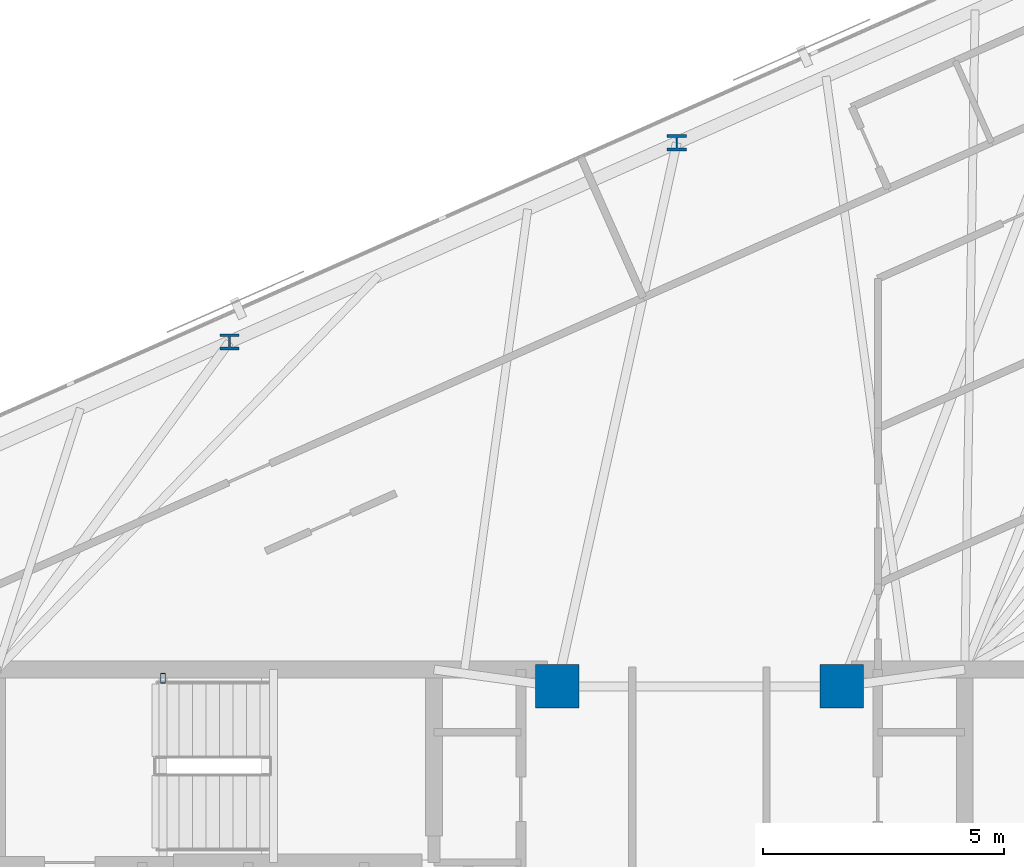
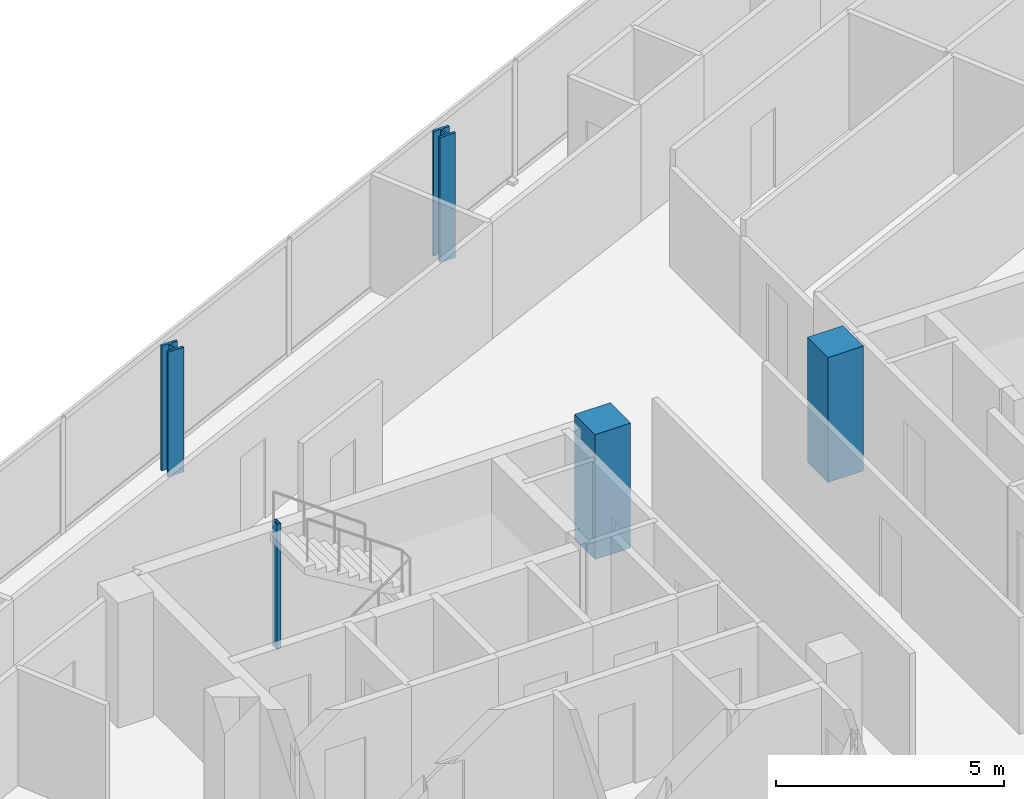
# One storey, part 2 of 19: 5 columns.
"""IFC4 building model written with IfcOpenShell, lengths in metres."""

import ifcopenshell
import ifcopenshell.guid

model = None  # the IFC model being written
_history = None  # IfcOwnerHistory: only IFC2X3 demands one
_inside = {}  # id of a spatial element -> (the spatial element, [elements in it])
_under = {}  # id of a project, library or spatial element -> (it, [spatial elements below it])
_declared = {}  # id of a project -> (the project, [libraries it declares])
_typed = {}  # id of a type object -> (the type object, [elements of that type])
_made_of = {}  # id of a material, layer set ... -> (it, [elements and type objects made of it])


def new_model(schema):
    """Start an empty IFC model of exactly this schema.

    Asked for "IFC4X3", IfcOpenShell would pick the latest addendum, in which some entities
    have other attributes; the version numbers below select the first issue.
    IFC2X3 requires an IfcOwnerHistory on every rooted entity: one is made here for all.
    """
    global model, _history
    if schema == "IFC4X3":
        model = ifcopenshell.file(schema_version=(4, 3, 0, 0))
    else:
        model = ifcopenshell.file(schema=schema)
    _inside.clear()
    _under.clear()
    _declared.clear()
    _typed.clear()
    _made_of.clear()
    _history = None
    if model.schema == "IFC2X3":
        org = make("IfcOrganization", Name="unknown")
        user = make(
            "IfcPersonAndOrganization",
            ThePerson=make("IfcPerson", FamilyName="unknown"),
            TheOrganization=org,
        )
        app = make(
            "IfcApplication",
            ApplicationDeveloper=org,
            Version="unknown",
            ApplicationFullName="unknown",
            ApplicationIdentifier="unknown",
        )
        _history = make(
            "IfcOwnerHistory",
            OwningUser=user,
            OwningApplication=app,
            ChangeAction="ADDED",
            CreationDate=0,
        )
    return model


def make(cls, **values):
    """One entity of the class cls with the attributes given. An attribute that is None is left unset."""
    return model.create_entity(
        cls, **{name: value for name, value in values.items() if value is not None}
    )


def rooted(cls, **values):
    """An entity with a GlobalId (a new one), such as an element, a storey or a relation."""
    return make(cls, GlobalId=ifcopenshell.guid.new(), OwnerHistory=_history, **values)


def si_unit(unit_type, name, prefix=None):
    """IfcSIUnit, for example si_unit("LENGTHUNIT", "METRE", prefix="MILLI")."""
    return make("IfcSIUnit", UnitType=unit_type, Prefix=prefix, Name=name)


def assignment(units):
    """IfcUnitAssignment: the units of a project."""
    return None if units is None else make("IfcUnitAssignment", Units=units)


def point(xyz):
    """IfcCartesianPoint."""
    return None if xyz is None else make("IfcCartesianPoint", Coordinates=xyz)


def direction(xyz):
    """IfcDirection."""
    return None if xyz is None else make("IfcDirection", DirectionRatios=xyz)


def frame(location, z_axis=None, x_axis=None):
    """IfcAxis2Placement3D, a coordinate frame: its origin and axes. An axis left out is left unset."""
    return make(
        "IfcAxis2Placement3D",
        Location=point(location),
        Axis=direction(z_axis),
        RefDirection=direction(x_axis),
    )


def frame_2d(location, x_axis=None):
    """IfcAxis2Placement2D, a coordinate frame in the plane: its origin and x axis."""
    return make(
        "IfcAxis2Placement2D", Location=point(location), RefDirection=direction(x_axis)
    )


def origin():
    """The frame at (0, 0, 0) with its axes left unset."""
    return frame((0.0, 0.0, 0.0))


def origin_2d():
    """The frame at (0, 0) in the plane with its x axis left unset."""
    return frame_2d((0.0, 0.0))


def place(relative_to, where):
    """IfcLocalPlacement: puts the frame where relative to a parent placement (None: the world)."""
    return make(
        "IfcLocalPlacement", PlacementRelTo=relative_to, RelativePlacement=where
    )


def context(
    kind, dimensions, precision=None, world=None, true_north=None, identifier=None
):
    """IfcGeometricRepresentationContext, for example the 3D "Model" context."""
    return make(
        "IfcGeometricRepresentationContext",
        ContextIdentifier=identifier,
        ContextType=kind,
        CoordinateSpaceDimension=dimensions,
        Precision=precision,
        WorldCoordinateSystem=world,
        TrueNorth=true_north,
    )


def subcontext(parent, identifier, kind, view, scale=None):
    """IfcGeometricRepresentationSubContext, for example "Body" below "Model"."""
    return make(
        "IfcGeometricRepresentationSubContext",
        ContextIdentifier=identifier,
        ContextType=kind,
        ParentContext=parent,
        TargetScale=scale,
        TargetView=view,
    )


def project(units=None, contexts=None):
    """IfcProject with its units and contexts."""
    return rooted(
        "IfcProject",
        Name="project",
        RepresentationContexts=contexts,
        UnitsInContext=assignment(units),
    )


def spatial(cls, under=None, at=None, **own):
    """A site, building, storey or space (cls), placed at a placement, below another one or the project."""
    s = rooted(cls, ObjectPlacement=at, **own)
    if under is not None:
        _under.setdefault(under.id(), (under, []))[1].append(s)
    return s


def profile(cls, at=None, kind="AREA", **sizes):
    """A parametric profile (cls). Its sizes go by their IFC names, for example OverallWidth=200.0."""
    return make(cls, ProfileType=kind, Position=at, **sizes)


def rectangle(**sizes):
    """IfcRectangleProfileDef."""
    return profile("IfcRectangleProfileDef", **sizes)


def hollow_rectangle(**sizes):
    """IfcRectangleHollowProfileDef."""
    return profile("IfcRectangleHollowProfileDef", **sizes)


def i_section(**sizes):
    """IfcIShapeProfileDef."""
    return profile("IfcIShapeProfileDef", **sizes)


def extrude(swept, where, along, depth):
    """IfcExtrudedAreaSolid: the profile swept, set in the frame where, extruded along a direction by depth."""
    return make(
        "IfcExtrudedAreaSolid",
        SweptArea=swept,
        Position=where,
        ExtrudedDirection=direction(along),
        Depth=depth,
    )


def shape(context_of_items, identifier, shape_type, items):
    """IfcShapeRepresentation: the items that make up one representation, for example the "Body"."""
    return make(
        "IfcShapeRepresentation",
        ContextOfItems=context_of_items,
        RepresentationIdentifier=identifier,
        RepresentationType=shape_type,
        Items=items,
    )


def material(Name=None, Category=None):
    """IfcMaterial."""
    return make("IfcMaterial", Name=Name, Category=Category)


def material_profile(
    of_material, cross_section, Name=None, Category=None, Priority=None
):
    """IfcMaterialProfile: a cross section and its material."""
    return make(
        "IfcMaterialProfile",
        Name=Name,
        Material=of_material,
        Profile=cross_section,
        Priority=Priority,
        Category=Category,
    )


def profile_set(profiles, Name=None, composite=None):
    """IfcMaterialProfileSet."""
    return make(
        "IfcMaterialProfileSet",
        Name=Name,
        MaterialProfiles=profiles,
        CompositeProfile=composite,
    )


def made_of(thing, what):
    """Note that an element or type object is made of a material, layer set ...; save() writes the relation."""
    if what is not None:
        _made_of.setdefault(what.id(), (what, []))[1].append(thing)
    return thing


def type_object(cls, material=None, **own):
    """A type object (cls), such as IfcWallType, which elements share."""
    return made_of(rooted(cls, **own), material)


def element(
    cls,
    number,
    at=None,
    inside=None,
    cuts=None,
    type_object=None,
    material=None,
    context=None,
    identifier="Body",
    shape_type=None,
    held_by="IfcProductDefinitionShape",
    body=None,
    shapes=None,
    **own,
):
    """One element of the class cls, such as IfcWall. Its Tag is "e" and its number.

    at: its placement. inside: the storey or other place that contains it. cuts: it is an
    opening in that element (IfcRelVoidsElement). A single representation is given by context,
    identifier, shape_type and body (its items); several are given by shapes. held_by: the class
    of the entity that holds the representations. save() writes the other relations.
    """
    e = rooted(cls, Tag="e%d" % number, ObjectPlacement=at, **own)
    if body is not None:
        shapes = [shape(context, identifier, shape_type, body)]
    if shapes is not None:
        e.Representation = make(held_by, Representations=shapes)
    if inside is not None:
        _inside.setdefault(inside.id(), (inside, []))[1].append(e)
    if cuts is not None:
        rooted(
            "IfcRelVoidsElement", RelatingBuildingElement=cuts, RelatedOpeningElement=e
        )
    if type_object is not None:
        _typed.setdefault(type_object.id(), (type_object, []))[1].append(e)
    return made_of(e, material)


def aggregate(whole, parts):
    """IfcRelAggregates: a whole, such as a stair, and the parts it consists of."""
    return rooted("IfcRelAggregates", RelatingObject=whole, RelatedObjects=parts)


def save(model, path):
    """Write the relations noted so far, then the file.

    IfcRelAggregates (storeys below a building ...), IfcRelContainedInSpatialStructure (elements
    in a storey), IfcRelDefinesByType, IfcRelAssociatesMaterial and IfcRelDeclares: one each for
    every whole, place, type object, material and project.
    """
    for whole, parts in _under.values():
        aggregate(whole, parts)
    for where, things in _inside.values():
        rooted(
            "IfcRelContainedInSpatialStructure",
            RelatedElements=things,
            RelatingStructure=where,
        )
    for kind, things in _typed.values():
        rooted("IfcRelDefinesByType", RelatedObjects=things, RelatingType=kind)
    for what, things in _made_of.values():
        rooted("IfcRelAssociatesMaterial", RelatedObjects=things, RelatingMaterial=what)
    for by, libraries in _declared.values():
        rooted("IfcRelDeclares", RelatingContext=by, RelatedDefinitions=libraries)
    model.write(path)


model = new_model("IFC4")

# Units and contexts
model_context = context("Model", 3, precision=1e-05, world=origin(), true_north=direction((0.0, 1.0)))
body_context = subcontext(model_context, "Body", "Model", "MODEL_VIEW")
ifc_project = project(units=[si_unit("LENGTHUNIT", "METRE"), si_unit("AREAUNIT", "SQUARE_METRE"), si_unit("VOLUMEUNIT", "CUBIC_METRE"), si_unit("PLANEANGLEUNIT", "RADIAN"), si_unit("MASSUNIT", "GRAM", prefix="KILO")], contexts=[model_context])

# Site, building, storey
site_placement = place(None, origin())
site = spatial("IfcSite", under=ifc_project, at=site_placement, CompositionType="ELEMENT")
building_placement = place(site_placement, origin())
building = spatial("IfcBuilding", under=site, at=building_placement, Name="Menara Jurai Vektor", CompositionType="ELEMENT")
storey_placement = place(building_placement, frame((0.0, 0.0, 262.199951171875)))
storey = spatial("IfcBuildingStorey", under=building, at=storey_placement, Name="L70", CompositionType="ELEMENT", Elevation=262.199951171875)

# Columns
ifc_material_1 = material(Name="Concrete C50/60", Category="concrete")
ifc_material_profile_1 = material_profile(ifc_material_1, rectangle(XDim=0.89990234375, YDim=0.89990234375, at=origin_2d()), Name="RC 900x900")
ifc_profile_set_1 = profile_set([ifc_material_profile_1], Name="Concrete C50/60")
column_type_1 = type_object("IfcColumnType", Name="STR-COL-RC900", PredefinedType="COLUMN", material=ifc_profile_set_1)
for number, where, z_axis, x_axis, name in (
    (1, (-2.949951171875, 5.25, 0.0), (0.0, 0.0, 1.0), (1.0, 0.0, 0.0), "Core Spine Column CW-NE L70"),
    (2, (2.949951171875, 5.25, 0.0), (0.0, 0.0, 1.0), (1.0, 0.0, 0.0), "Core Spine Column CE-NW L70"),
):
    element("IfcColumn", number, at=place(storey_placement, frame(where, z_axis=z_axis, x_axis=x_axis)), inside=storey, type_object=column_type_1, Name=name, PredefinedType="COLUMN", context=body_context, shape_type="SweptSolid", body=[
        extrude(rectangle(XDim=0.89990234375, YDim=0.89990234375, at=origin_2d()), origin(), (0.0, 0.0, 1.0), 3.35009765625),
    ])
ifc_material_2 = material(Name="Steel S355", Category="steel")
ifc_material_profile_2 = material_profile(ifc_material_2, hollow_rectangle(XDim=0.10009765625, YDim=0.199951171875, WallThickness=0.008056640625, at=origin_2d()), Name="RHS 200x100x8")
ifc_profile_set_2 = profile_set([ifc_material_profile_2], Name="Steel S355")
column_type_2 = type_object("IfcColumnType", Name="STR-COL-STAIR", PredefinedType="COLUMN", material=ifc_profile_set_2)
column_placement = place(storey_placement, frame((-11.1201171875, 5.419921875, 0.0), z_axis=(0.0, 0.0, 1.0), x_axis=(1.0, 0.0, 0.0)))
element("IfcColumn", 3, at=column_placement, inside=storey, type_object=column_type_2, Name="Stair Well Header Column ST1-P2 L70", PredefinedType="COLUMN", context=body_context, shape_type="SweptSolid", body=[
    extrude(hollow_rectangle(XDim=0.10009765625, YDim=0.199951171875, WallThickness=0.008056640625, at=origin_2d()), origin(), (0.0, 0.0, 1.0), 3.35009765625),
])
ifc_material_3 = material(Name="Steel S460", Category="steel")
ifc_material_profile_3 = material_profile(ifc_material_3, i_section(OverallWidth=0.40087890625, OverallDepth=0.3349609375, WebThickness=0.035888671875, FlangeThickness=0.05810546875, FilletRadius=0.014892578125, at=origin_2d()), Name="HD 400x463")
ifc_profile_set_3 = profile_set([ifc_material_profile_3], Name="Steel S460")
column_type_3 = type_object("IfcColumnType", Name="STR-EXO-BLK5", PredefinedType="COLUMN", material=ifc_profile_set_3)
for number, where, z_axis, x_axis, name in (
    (4, (-0.467529296875, 16.519287109375, 0.0), (0.0, 0.0, 1.0), (1.0, 0.0, 0.0), "Exoskeleton Column BLK5-N3 L70"),
    (5, (-9.740966796875, 12.390380859375, 0.0), (0.0, 0.0, 1.0), (1.0, 0.0, 0.0), "Exoskeleton Column BLK5-N4 L70"),
):
    element("IfcColumn", number, at=place(storey_placement, frame(where, z_axis=z_axis, x_axis=x_axis)), inside=storey, type_object=column_type_3, Name=name, PredefinedType="COLUMN", context=body_context, shape_type="SweptSolid", body=[
        extrude(i_section(OverallWidth=0.40087890625, OverallDepth=0.3349609375, WebThickness=0.035888671875, FlangeThickness=0.05810546875, FilletRadius=0.014892578125, at=origin_2d()), origin(), (0.0, 0.0, 1.0), 3.35009765625),
    ])

save(model, "model.ifc")
